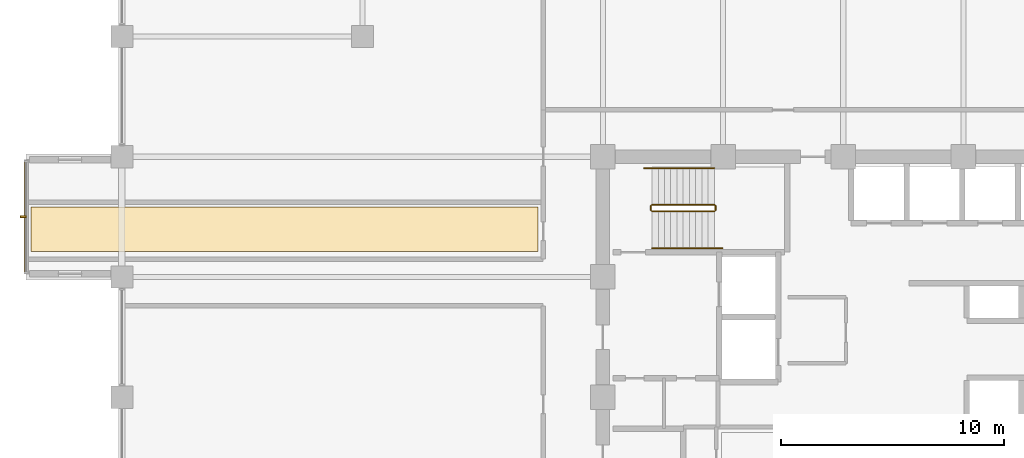
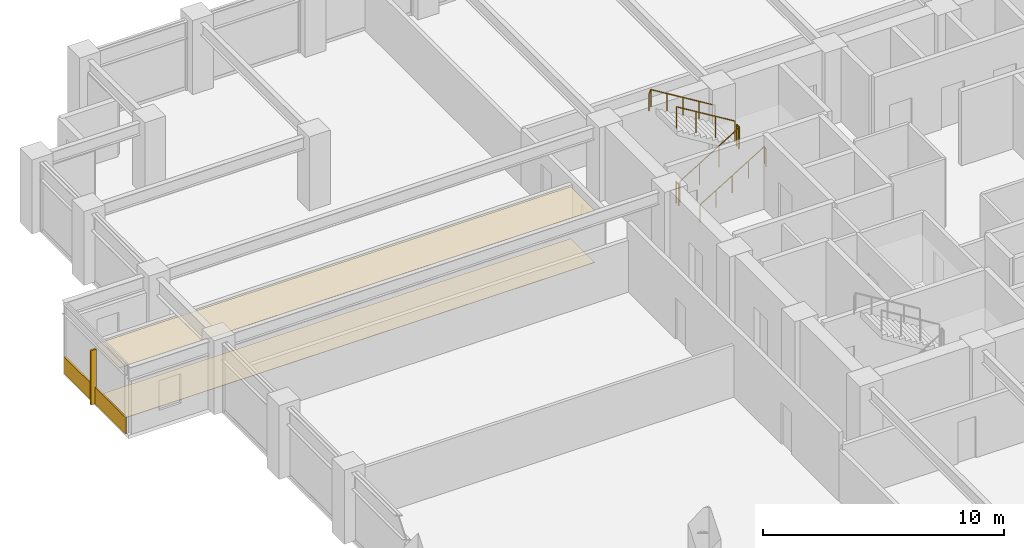
# One storey, part 27 of 29: 6 railings, 3 coverings, 1 shading device.
"""IFC4 building model written with IfcOpenShell, lengths in metres."""

from ifc_helpers import new_model, si_unit, direction, frame, origin, origin_2d, place, context, subcontext, project, spatial, polyline, rectangle, circle, outline, extrude, material, layer, layer_set, type_object, element, save


model = new_model("IFC4")

# Units and contexts
model_context = context("Model", 3, precision=1e-05, world=origin(), true_north=direction((0.0, 1.0)))
body_context = subcontext(model_context, "Body", "Model", "MODEL_VIEW")
ifc_project = project(units=[si_unit("LENGTHUNIT", "METRE"), si_unit("AREAUNIT", "SQUARE_METRE"), si_unit("VOLUMEUNIT", "CUBIC_METRE"), si_unit("PLANEANGLEUNIT", "RADIAN"), si_unit("MASSUNIT", "GRAM", prefix="KILO")], contexts=[model_context])

# Site, building, storey
site_placement = place(None, origin())
site = spatial("IfcSite", under=ifc_project, at=site_placement, CompositionType="ELEMENT")
building_placement = place(site_placement, origin())
building = spatial("IfcBuilding", under=site, at=building_placement, Name="Surkhivell Harbour Commons", CompositionType="ELEMENT")
storey_placement = place(building_placement, frame((0.0, 0.0, 158.25)))
storey = spatial("IfcBuildingStorey", under=building, at=storey_placement, Name="L41", CompositionType="ELEMENT", Elevation=158.25)

# Coverings
ifc_material_1 = material(Name="Moisture-resistant gypsum acoustic ceiling board", Category="other")
ifc_layer_1 = layer(ifc_material_1, 0.030029296875)
ifc_layer_set_1 = layer_set([ifc_layer_1], Name="Moisture-resistant gypsum acoustic ceiling board")
covering_type_1 = type_object("IfcCoveringType", Name="COV-CEIL-GYP", PredefinedType="CEILING", material=ifc_layer_set_1)
covering_1_placement = place(storey_placement, frame((0.0, 0.0, 2.618896484375)))
element("IfcCovering", 1, at=covering_1_placement, inside=storey, type_object=covering_type_1, Name="L41 Suspended Acoustic Ceiling 2", PredefinedType="CEILING", context=body_context, shape_type="SweptSolid", body=[
    extrude(outline(polyline([(-13.719970703125, 6.5400390625), (-13.719970703125, 8.530029296875), (-36.489990234375, 8.530029296875), (-36.489990234375, 6.5400390625), (-13.719970703125, 6.5400390625)])), origin(), (0.0, 0.0, 1.0), 0.030029296875),
])
ifc_material_2 = material(Name="Cobalt-azure enamelled aluminium cassette panel", Category="aluminium")
ifc_layer_2 = layer(ifc_material_2, 0.072021484375)
ifc_layer_set_2 = layer_set([ifc_layer_2], Name="Cobalt-azure enamelled aluminium cassette panel")
covering_type_2 = type_object("IfcCoveringType", Name="COV-CLAD-COB", PredefinedType="CLADDING", material=ifc_layer_set_2)
covering_2_placement = place(storey_placement, frame((-36.739990234375, 8.10009765625, 0.0), z_axis=(0.0, 0.0, 1.0), x_axis=(1.0, 0.0, 0.0)))
element("IfcCovering", 2, at=covering_2_placement, inside=storey, type_object=covering_type_2, Name="L41 Coloured-Panel Box Spandrel Cassette 02", PredefinedType="CLADDING", context=body_context, shape_type="SweptSolid", body=[
    extrude(rectangle(XDim=0.080078125, YDim=5.10009765625, at=origin_2d()), origin(), (0.0, 0.0, 1.0), 0.840087890625),
])
ifc_material_3 = material(Name="Engineered acoustic oak timber flooring", Category="wood")
ifc_layer_3 = layer(ifc_material_3, 0.02001953125)
ifc_layer_set_3 = layer_set([ifc_layer_3], Name="Engineered acoustic oak timber flooring")
covering_type_3 = type_object("IfcCoveringType", Name="COV-FLR-TIM", PredefinedType="FLOORING", material=ifc_layer_set_3)
covering_3_placement = place(storey_placement, origin())
element("IfcCovering", 3, at=covering_3_placement, inside=storey, type_object=covering_type_3, Name="L41 Interior Floor Finish 2", PredefinedType="FLOORING", context=body_context, shape_type="SweptSolid", body=[
    extrude(outline(polyline([(-13.719970703125, 6.5400390625), (-13.719970703125, 8.530029296875), (-36.489990234375, 8.530029296875), (-36.489990234375, 6.5400390625), (-13.719970703125, 6.5400390625)])), origin(), (0.0, 0.0, 1.0), 0.02001953125),
])

# Railings
ifc_material_4 = material(Name="Galvanised and painted steel S355 guard rail", Category="steel")
railing_type_1 = type_object("IfcRailingType", Name="RAL-ST-GRD1100", PredefinedType="GUARDRAIL", material=ifc_material_4)
railing_1_placement = place(storey_placement, frame((-8.590087890625, 8.340087890625, 0.17041015625)))
element("IfcRailing", 4, at=railing_1_placement, inside=storey, type_object=railing_type_1, Name="L41 ST1 stair guard 1", PredefinedType="GUARDRAIL", context=body_context, shape_type="SweptSolid", body=[
    extrude(circle(Radius=0.02392578125, at=origin_2d()), frame((0.0, 0.0, 1.076171875), z_axis=(0.854169791009, 0.0, 0.51999420009), x_axis=(0.0, 1.0, 0.0)), (0.0, 0.0, 1.0), 3.278076171875),
    extrude(circle(Radius=0.02099609375, at=origin_2d()), origin(), (0.0, 0.0, 1.0), 1.052001953125),
    extrude(circle(Radius=0.02099609375, at=origin_2d()), frame((0.933349609375, 0.0, 0.568115234375)), (0.0, 0.0, 1.0), 1.052001953125),
    extrude(circle(Radius=0.02099609375, at=origin_2d()), frame((1.86669921875, 0.0, 1.136474609375)), (0.0, 0.0, 1.0), 1.052001953125),
    extrude(circle(Radius=0.02099609375, at=origin_2d()), frame((2.800048828125, 0.0, 1.70458984375)), (0.0, 0.0, 1.0), 1.052001953125),
])
railing_2_placement = place(storey_placement, frame((-5.739990234375, 8.389892578125, 1.875)))
element("IfcRailing", 5, at=railing_2_placement, inside=storey, type_object=railing_type_1, Name="L41 ST1 stair guard 2", PredefinedType="GUARDRAIL", context=body_context, shape_type="SweptSolid", body=[
    extrude(circle(Radius=0.02392578125, at=origin_2d()), frame((0.0, 0.0, 1.076171875), z_axis=(0.0, 1.0, 0.0), x_axis=(-1.0, 0.0, 0.0)), (0.0, 0.0, 1.0), 0.2001953125),
    extrude(circle(Radius=0.02099609375, at=origin_2d()), origin(), (0.0, 0.0, 1.0), 1.052001953125),
    extrude(circle(Radius=0.02099609375, at=origin_2d()), frame((0.0, 0.2001953125, 0.0)), (0.0, 0.0, 1.0), 1.052001953125),
])
railing_3_placement = place(storey_placement, frame((-5.7900390625, 8.639892578125, 2.04541015625)))
element("IfcRailing", 6, at=railing_3_placement, inside=storey, type_object=railing_type_1, Name="L41 ST1 stair guard 3", PredefinedType="GUARDRAIL", context=body_context, shape_type="SweptSolid", body=[
    extrude(circle(Radius=0.02392578125, at=origin_2d()), frame((0.0, 0.0, 1.076171875), z_axis=(-0.854169791009, 0.0, 0.51999420009), x_axis=(0.0, -1.0, 0.0)), (0.0, 0.0, 1.0), 3.278076171875),
    extrude(circle(Radius=0.02099609375, at=origin_2d()), origin(), (0.0, 0.0, 1.0), 1.052001953125),
    extrude(circle(Radius=0.02099609375, at=origin_2d()), frame((-0.933349609375, 0.0, 0.568115234375)), (0.0, 0.0, 1.0), 1.052001953125),
    extrude(circle(Radius=0.02099609375, at=origin_2d()), frame((-1.86669921875, 0.0, 1.136474609375)), (0.0, 0.0, 1.0), 1.052001953125),
    extrude(circle(Radius=0.02099609375, at=origin_2d()), frame((-2.800048828125, 0.0, 1.70458984375)), (0.0, 0.0, 1.0), 1.052001953125),
])
railing_4_placement = place(storey_placement, frame((-8.639892578125, 8.389892578125, 0.0)))
element("IfcRailing", 7, at=railing_4_placement, inside=storey, type_object=railing_type_1, Name="L41 ST1 stair guard 4", PredefinedType="GUARDRAIL", context=body_context, shape_type="SweptSolid", body=[
    extrude(circle(Radius=0.02392578125, at=origin_2d()), frame((0.0, 0.0, 1.076171875), z_axis=(0.0, 1.0, 0.0), x_axis=(-1.0, 0.0, 0.0)), (0.0, 0.0, 1.0), 0.2001953125),
    extrude(circle(Radius=0.02099609375, at=origin_2d()), origin(), (0.0, 0.0, 1.0), 1.052001953125),
    extrude(circle(Radius=0.02099609375, at=origin_2d()), frame((0.0, 0.2001953125, 0.0)), (0.0, 0.0, 1.0), 1.052001953125),
])
ifc_material_5 = material(Name="Brushed stainless steel S355 handrail", Category="steel")
railing_type_2 = type_object("IfcRailingType", Name="RAL-ST-HND900", PredefinedType="HANDRAIL", material=ifc_material_5)
railing_5_placement = place(storey_placement, frame((-8.590087890625, 6.68994140625, 0.17041015625)))
element("IfcRailing", 8, at=railing_5_placement, inside=storey, type_object=railing_type_2, Name="L41 ST1 stair handrail 1", PredefinedType="HANDRAIL", context=body_context, shape_type="SweptSolid", body=[
    extrude(circle(Radius=0.02392578125, at=origin_2d()), frame((0.0, 0.0, 0.8759765625), z_axis=(0.854177636135, 0.0, 0.519981313056), x_axis=(0.0, 1.0, 0.0)), (0.0, 0.0, 1.0), 3.60595703125),
    extrude(circle(Radius=0.02392578125, at=origin_2d()), frame((3.080078125, 0.0, 2.7509765625), z_axis=(0.425297416671, 0.0, -0.905053648892), x_axis=(0.0, 1.0, 0.0)), (0.0, 0.0, 1.0), 0.188232421875),
    extrude(circle(Radius=0.02099609375, at=origin_2d()), origin(), (0.0, 0.0, 1.0), 0.851806640625),
    extrude(circle(Radius=0.02099609375, at=origin_2d()), frame((0.77001953125, 0.0, 0.46875)), (0.0, 0.0, 1.0), 0.851806640625),
    extrude(circle(Radius=0.02099609375, at=origin_2d()), frame((1.5400390625, 0.0, 0.9375)), (0.0, 0.0, 1.0), 0.851806640625),
    extrude(circle(Radius=0.02099609375, at=origin_2d()), frame((2.31005859375, 0.0, 1.40625)), (0.0, 0.0, 1.0), 0.851806640625),
    extrude(circle(Radius=0.02099609375, at=origin_2d()), frame((3.080078125, 0.0, 1.875)), (0.0, 0.0, 1.0), 0.851806640625),
    extrude(circle(Radius=0.02099609375, at=origin_2d()), frame((3.16015625, 0.0, 1.70458984375)), (0.0, 0.0, 1.0), 0.851806640625),
])
railing_6_placement = place(storey_placement, frame((-5.7900390625, 10.2900390625, 2.04541015625)))
element("IfcRailing", 9, at=railing_6_placement, inside=storey, type_object=railing_type_2, Name="L41 ST1 stair handrail 2", PredefinedType="HANDRAIL", context=body_context, shape_type="SweptSolid", body=[
    extrude(circle(Radius=0.02392578125, at=origin_2d()), frame((0.0, 0.0, 0.8759765625), z_axis=(-0.854177636135, 0.0, 0.519981313056), x_axis=(0.0, -1.0, 0.0)), (0.0, 0.0, 1.0), 3.60595703125),
    extrude(circle(Radius=0.02392578125, at=origin_2d()), frame((-3.080078125, 0.0, 2.7509765625), z_axis=(-0.424234432967, 0.0, -0.905552398199), x_axis=(0.0, -1.0, 0.0)), (0.0, 0.0, 1.0), 0.188232421875),
    extrude(circle(Radius=0.02099609375, at=origin_2d()), origin(), (0.0, 0.0, 1.0), 0.851806640625),
    extrude(circle(Radius=0.02099609375, at=origin_2d()), frame((-0.77001953125, 0.0, 0.46875)), (0.0, 0.0, 1.0), 0.851806640625),
    extrude(circle(Radius=0.02099609375, at=origin_2d()), frame((-1.5400390625, 0.0, 0.9375)), (0.0, 0.0, 1.0), 0.851806640625),
    extrude(circle(Radius=0.02099609375, at=origin_2d()), frame((-2.31005859375, 0.0, 1.40625)), (0.0, 0.0, 1.0), 0.851806640625),
    extrude(circle(Radius=0.02099609375, at=origin_2d()), frame((-3.080078125, 0.0, 1.875)), (0.0, 0.0, 1.0), 0.851806640625),
    extrude(circle(Radius=0.02099609375, at=origin_2d()), frame((-3.159912109375, 0.0, 1.70458984375)), (0.0, 0.0, 1.0), 0.851806640625),
])

# Shading device
ifc_material_6 = material(Name="Champagne anodised aluminium solar fin", Category="aluminium")
shading_device_type = type_object("IfcShadingDeviceType", Name="SHD-FIN-SLIM", PredefinedType="USERDEFINED", material=ifc_material_6)
shading_device_placement = place(storey_placement, frame((-36.840087890625, 8.10009765625, 0.0048828125), z_axis=(0.0, 0.0, 1.0), x_axis=(1.0, 0.0, 0.0)))
element("IfcShadingDevice", 10, at=shading_device_placement, inside=storey, type_object=shading_device_type, Name="L41 Coloured-Box Solar Fin 02", ObjectType="FIN", PredefinedType="USERDEFINED", context=body_context, shape_type="SweptSolid", body=[
    extrude(rectangle(XDim=0.280029296875, YDim=0.080078125, at=origin_2d()), origin(), (0.0, 0.0, 1.0), 2.75),
])

save(model, "model.ifc")
